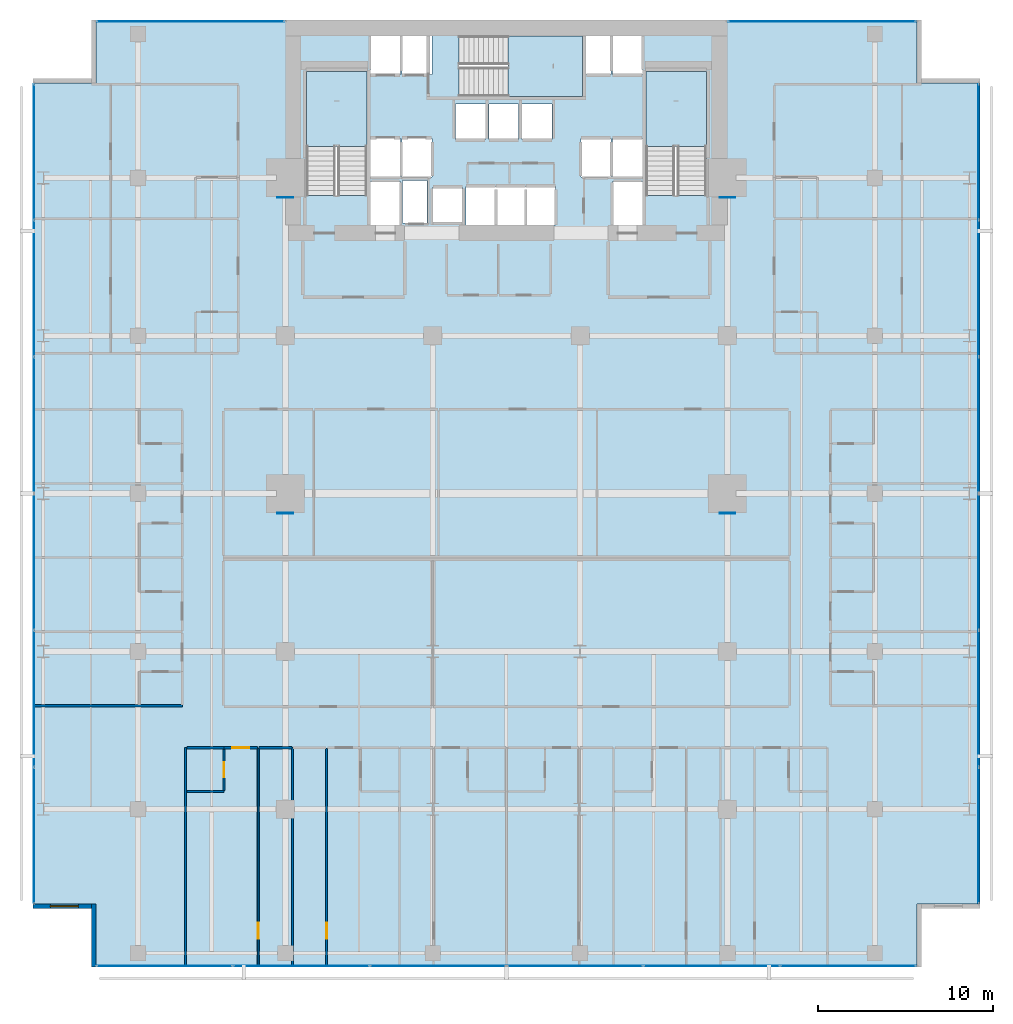
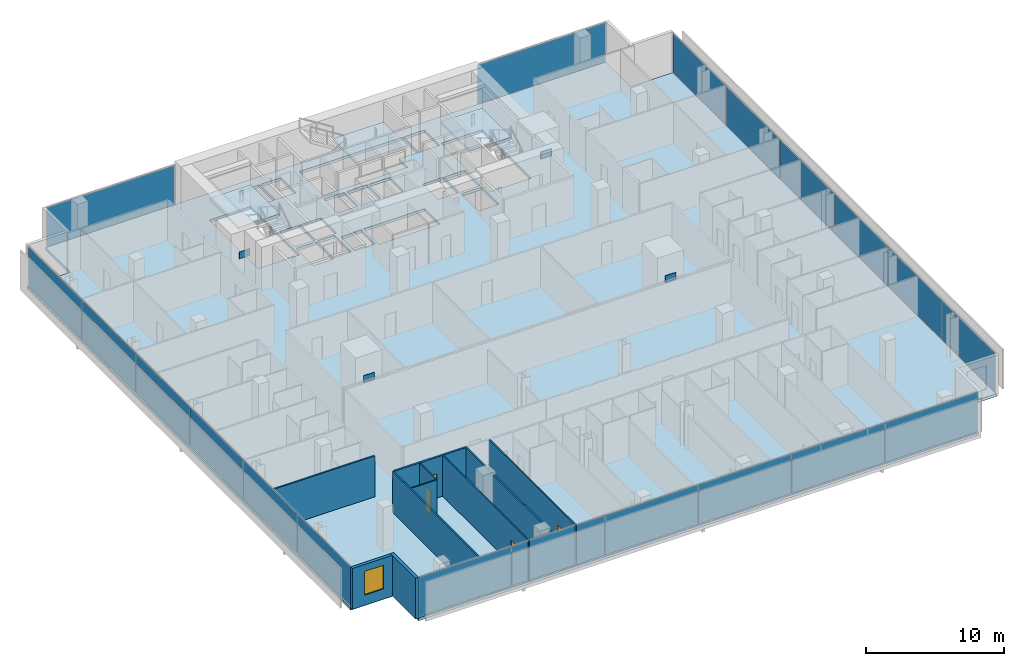
# One storey, part 32 of 40: 24 plates, 12 walls, 4 doors, 4 slabs, 1 window, 5 openings, 8 elements without a shape of their own.
"""IFC4 building model written with IfcOpenShell, lengths in metres."""

from ifc_helpers import new_model, si_unit, direction, frame, frame_2d, origin, origin_2d, place, context, subcontext, project, spatial, polyline, rectangle, outline, extrude, material, layer, layer_set, type_object, element, fill, aggregate, save


model = new_model("IFC4")

# Units and contexts
model_context = context("Model", 3, precision=1e-05, world=origin(), true_north=direction((0.0, 1.0)))
body_context = subcontext(model_context, "Body", "Model", "MODEL_VIEW")
ifc_project = project(units=[si_unit("LENGTHUNIT", "METRE"), si_unit("AREAUNIT", "SQUARE_METRE"), si_unit("VOLUMEUNIT", "CUBIC_METRE"), si_unit("PLANEANGLEUNIT", "RADIAN"), si_unit("MASSUNIT", "GRAM", prefix="KILO")], contexts=[model_context])

# Site, building, storey
site_placement = place(None, origin())
site = spatial("IfcSite", under=ifc_project, at=site_placement, CompositionType="ELEMENT")
building_placement = place(site_placement, origin())
building = spatial("IfcBuilding", under=site, at=building_placement, Name="Maruvema Waterfront Hotel and Observation Tower", CompositionType="ELEMENT")
storey_placement = place(building_placement, frame((0.0, 0.0, 38.5)))
storey = spatial("IfcBuildingStorey", under=building, at=storey_placement, Name="L08", CompositionType="ELEMENT", Elevation=38.5)

# Slab
ifc_material_1 = material(Name="Concrete C50/60", Category="concrete")
ifc_layer_1 = layer(ifc_material_1, 0.239990234375, Name="Reinforced Concrete Floor Slab 240 mm")
ifc_layer_set_1 = layer_set([ifc_layer_1], Name="Concrete C50/60")
slab_type_1 = type_object("IfcSlabType", Name="Reinforced Concrete Floor Slab 240 mm", PredefinedType="FLOOR", material=ifc_layer_set_1)
slab_1_placement = place(storey_placement, frame((0.0, 0.0, -0.239990234375)))
element("IfcSlab", 1, at=slab_1_placement, inside=storey, type_object=slab_type_1, Name="L08 Structural Floor Slab", PredefinedType="FLOOR", context=body_context, shape_type="SweptSolid", body=[
    extrude(outline(polyline([(14.39990234375, 0.0), (61.199951171875, 0.0), (61.199951171875, 3.60009765625), (64.800048828125, 3.60009765625), (64.800048828125, 50.39990234375), (61.199951171875, 50.39990234375), (61.199951171875, 54.0), (14.39990234375, 54.0), (14.39990234375, 50.39990234375), (10.800048828125, 50.39990234375), (10.800048828125, 3.60009765625), (14.39990234375, 3.60009765625), (14.39990234375, 0.0)]), holes=[polyline([(26.39990234375, 44.00048828125), (26.39990234375, 51.050048828125), (29.85009765625, 51.050048828125), (29.85009765625, 44.00048828125), (26.39990234375, 44.00048828125)]), polyline([(30.050048828125, 44.800048828125), (31.75, 44.800048828125), (31.75, 42.320068359375), (30.050048828125, 42.320068359375), (30.050048828125, 44.800048828125)]), polyline([(31.75, 47.25), (31.75, 45.050048828125), (30.050048828125, 45.050048828125), (30.050048828125, 47.25), (31.75, 47.25)]), polyline([(31.75, 53.10009765625), (31.75, 50.89990234375), (30.050048828125, 50.89990234375), (30.050048828125, 53.10009765625), (31.75, 53.10009765625)]), polyline([(33.280029296875, 44.860107421875), (33.280029296875, 42.43994140625), (31.8798828125, 42.43994140625), (31.8798828125, 44.860107421875), (33.280029296875, 44.860107421875)]), polyline([(31.85009765625, 47.25), (33.550048828125, 47.25), (33.550048828125, 45.050048828125), (31.85009765625, 45.050048828125), (31.85009765625, 47.25)]), polyline([(31.85009765625, 53.10009765625), (33.550048828125, 53.10009765625), (33.550048828125, 50.89990234375), (31.85009765625, 50.89990234375), (31.85009765625, 53.10009765625)]), polyline([(33.60009765625, 44.449951171875), (35.300048828125, 44.449951171875), (35.300048828125, 42.449951171875), (33.60009765625, 42.449951171875), (33.60009765625, 44.449951171875)]), polyline([(34.89990234375, 49.199951171875), (36.60009765625, 49.199951171875), (36.60009765625, 47.199951171875), (34.89990234375, 47.199951171875), (34.89990234375, 49.199951171875)]), polyline([(38.5, 49.199951171875), (38.5, 47.199951171875), (36.800048828125, 47.199951171875), (36.800048828125, 49.199951171875), (38.5, 49.199951171875)]), polyline([(35.5, 44.5), (40.60009765625, 44.5), (40.60009765625, 42.300048828125), (35.5, 42.300048828125), (35.5, 44.5)]), polyline([(43.75, 50.89990234375), (42.14990234375, 50.89990234375), (42.14990234375, 49.64990234375), (35.1005859375, 49.64990234375), (35.1005859375, 53.10009765625), (43.75, 53.10009765625), (43.75, 50.89990234375)]), polyline([(40.39990234375, 49.199951171875), (40.39990234375, 47.199951171875), (38.699951171875, 47.199951171875), (38.699951171875, 49.199951171875), (40.39990234375, 49.199951171875)]), polyline([(43.75, 47.25), (43.75, 45.050048828125), (42.050048828125, 45.050048828125), (42.050048828125, 47.25), (43.75, 47.25)]), polyline([(45.550048828125, 44.800048828125), (45.550048828125, 42.320068359375), (43.85009765625, 42.320068359375), (43.85009765625, 44.800048828125), (45.550048828125, 44.800048828125)]), polyline([(43.85009765625, 47.25), (45.550048828125, 47.25), (45.550048828125, 45.050048828125), (43.85009765625, 45.050048828125), (43.85009765625, 47.25)]), polyline([(45.550048828125, 53.10009765625), (45.550048828125, 50.89990234375), (43.85009765625, 50.89990234375), (43.85009765625, 53.10009765625), (45.550048828125, 53.10009765625)]), polyline([(45.75, 51.050048828125), (49.199951171875, 51.050048828125), (49.199951171875, 44.00048828125), (45.75, 44.00048828125), (45.75, 51.050048828125)])]), origin(), (0.0, 0.0, 1.0), 0.239990234375),
])

# Curtain wall, plates
ifc_material_2 = material(Name="Anodised bronze aluminium and solar-control low-E IGU", Category="aluminium")
ifc_layer_2 = layer(ifc_material_2, 0.159912109375, Name="Zone 1 Bronze Inner Thermal Curtain Wall System CW-02")
ifc_layer_set_2 = layer_set([ifc_layer_2], Name="Anodised bronze aluminium and solar-control low-E IGU")
curtain_wall_type = type_object("IfcCurtainWallType", Name="Zone 1 Bronze Inner Thermal Curtain Wall System CW-02", PredefinedType="USERDEFINED", material=ifc_layer_set_2)
curtain_wall_1_placement = place(storey_placement, origin())
curtain_wall_1 = element("IfcCurtainWall", 2, at=curtain_wall_1_placement, inside=storey, type_object=curtain_wall_type, Name="L08 Curtain Wall CW-L08-S", ObjectType="UNITISED CURTAIN WALL", PredefinedType="USERDEFINED")
ifc_material_3 = material(Name="Laminated low-E solar-control double glazing", Category="glass")
ifc_layer_3 = layer(ifc_material_3, 0.035888671875, Name="Solar Control Double-Glazed Curtain Panel 36 mm")
ifc_layer_set_3 = layer_set([ifc_layer_3], Name="Laminated low-E solar-control double glazing")
plate_type_1 = type_object("IfcPlateType", Name="Solar Control Double-Glazed Curtain Panel 36 mm", PredefinedType="CURTAIN_PANEL", material=ifc_layer_set_3)
plate_1_placement = place(storey_placement, frame((18.31494140625, 0.080078125, 0.06005859375), z_axis=(0.0, 0.0, 1.0), x_axis=(1.0, 0.0, 0.0)))
plate_1 = element("IfcPlate", 3, at=plate_1_placement, type_object=plate_type_1, Name="CW-02 panel 1.1", PredefinedType="CURTAIN_PANEL", context=body_context, shape_type="SweptSolid", body=[
    extrude(rectangle(XDim=7.7099609375, YDim=0.028076171875, at=origin_2d()), origin(), (0.0, 0.0, 1.0), 3.489990234375),
])
plate_2_placement = place(storey_placement, frame((26.10009765625, 0.080078125, 0.06005859375), z_axis=(0.0, 0.0, 1.0), x_axis=(1.0, 0.0, 0.0)))
plate_2 = element("IfcPlate", 4, at=plate_2_placement, type_object=plate_type_1, Name="CW-02 panel 2.1", PredefinedType="CURTAIN_PANEL", context=body_context, shape_type="SweptSolid", body=[
    extrude(rectangle(XDim=7.739990234375, YDim=0.028076171875, at=origin_2d()), origin(), (0.0, 0.0, 1.0), 3.489990234375),
])
plate_3_placement = place(storey_placement, frame((33.89990234375, 0.080078125, 0.06005859375), z_axis=(0.0, 0.0, 1.0), x_axis=(1.0, 0.0, 0.0)))
plate_3 = element("IfcPlate", 5, at=plate_3_placement, type_object=plate_type_1, Name="CW-02 panel 3.1", PredefinedType="CURTAIN_PANEL", context=body_context, shape_type="SweptSolid", body=[
    extrude(rectangle(XDim=7.739990234375, YDim=0.028076171875, at=origin_2d()), origin(), (0.0, 0.0, 1.0), 3.489990234375),
])
plate_4_placement = place(storey_placement, frame((41.699951171875, 0.080078125, 0.06005859375), z_axis=(0.0, 0.0, 1.0), x_axis=(1.0, 0.0, 0.0)))
plate_4 = element("IfcPlate", 6, at=plate_4_placement, type_object=plate_type_1, Name="CW-02 panel 4.1", PredefinedType="CURTAIN_PANEL", context=body_context, shape_type="SweptSolid", body=[
    extrude(rectangle(XDim=7.739990234375, YDim=0.028076171875, at=origin_2d()), origin(), (0.0, 0.0, 1.0), 3.489990234375),
])
plate_5_placement = place(storey_placement, frame((49.5, 0.080078125, 0.06005859375), z_axis=(0.0, 0.0, 1.0), x_axis=(1.0, 0.0, 0.0)))
plate_5 = element("IfcPlate", 7, at=plate_5_placement, type_object=plate_type_1, Name="CW-02 panel 5.1", PredefinedType="CURTAIN_PANEL", context=body_context, shape_type="SweptSolid", body=[
    extrude(rectangle(XDim=7.739990234375, YDim=0.028076171875, at=origin_2d()), origin(), (0.0, 0.0, 1.0), 3.489990234375),
])
plate_6_placement = place(storey_placement, frame((57.284912109375, 0.080078125, 0.06005859375), z_axis=(0.0, 0.0, 1.0), x_axis=(1.0, 0.0, 0.0)))
plate_6 = element("IfcPlate", 8, at=plate_6_placement, type_object=plate_type_1, Name="CW-02 panel 6.1", PredefinedType="CURTAIN_PANEL", context=body_context, shape_type="SweptSolid", body=[
    extrude(rectangle(XDim=7.7099609375, YDim=0.028076171875, at=origin_2d()), origin(), (0.0, 0.0, 1.0), 3.489990234375),
])
aggregate(curtain_wall_1, [plate_1, plate_2, plate_3, plate_4, plate_5, plate_6])

curtain_wall_2_placement = place(storey_placement, origin())
curtain_wall_2 = element("IfcCurtainWall", 9, at=curtain_wall_2_placement, inside=storey, type_object=curtain_wall_type, Name="L08 Curtain Wall CW-L08-E", ObjectType="UNITISED CURTAIN WALL", PredefinedType="USERDEFINED")
plate_7_placement = place(storey_placement, frame((64.719970703125, 7.514892578125, 0.06005859375), z_axis=(0.0, 0.0, 1.0), x_axis=(0.0, 1.0, 0.0)))
plate_7 = element("IfcPlate", 10, at=plate_7_placement, type_object=plate_type_1, Name="CW-02 panel 1.1", PredefinedType="CURTAIN_PANEL", context=body_context, shape_type="SweptSolid", body=[
    extrude(rectangle(XDim=7.7099609375, YDim=0.028076171875, at=origin_2d()), origin(), (0.0, 0.0, 1.0), 3.489990234375),
])
plate_8_placement = place(storey_placement, frame((64.719970703125, 15.300048828125, 0.06005859375), z_axis=(0.0, 0.0, 1.0), x_axis=(0.0, 1.0, 0.0)))
plate_8 = element("IfcPlate", 11, at=plate_8_placement, type_object=plate_type_1, Name="CW-02 panel 2.1", PredefinedType="CURTAIN_PANEL", context=body_context, shape_type="SweptSolid", body=[
    extrude(rectangle(XDim=7.739990234375, YDim=0.028076171875, at=origin_2d()), origin(), (0.0, 0.0, 1.0), 3.489990234375),
])
plate_9_placement = place(storey_placement, frame((64.719970703125, 23.10009765625, 0.06005859375), z_axis=(0.0, 0.0, 1.0), x_axis=(0.0, 1.0, 0.0)))
plate_9 = element("IfcPlate", 12, at=plate_9_placement, type_object=plate_type_1, Name="CW-02 panel 3.1", PredefinedType="CURTAIN_PANEL", context=body_context, shape_type="SweptSolid", body=[
    extrude(rectangle(XDim=7.739990234375, YDim=0.028076171875, at=origin_2d()), origin(), (0.0, 0.0, 1.0), 3.489990234375),
])
plate_10_placement = place(storey_placement, frame((64.719970703125, 30.89990234375, 0.06005859375), z_axis=(0.0, 0.0, 1.0), x_axis=(0.0, 1.0, 0.0)))
plate_10 = element("IfcPlate", 13, at=plate_10_placement, type_object=plate_type_1, Name="CW-02 panel 4.1", PredefinedType="CURTAIN_PANEL", context=body_context, shape_type="SweptSolid", body=[
    extrude(rectangle(XDim=7.739990234375, YDim=0.028076171875, at=origin_2d()), origin(), (0.0, 0.0, 1.0), 3.489990234375),
])
plate_11_placement = place(storey_placement, frame((64.719970703125, 38.699951171875, 0.06005859375), z_axis=(0.0, 0.0, 1.0), x_axis=(0.0, 1.0, 0.0)))
plate_11 = element("IfcPlate", 14, at=plate_11_placement, type_object=plate_type_1, Name="CW-02 panel 5.1", PredefinedType="CURTAIN_PANEL", context=body_context, shape_type="SweptSolid", body=[
    extrude(rectangle(XDim=7.739990234375, YDim=0.028076171875, at=origin_2d()), origin(), (0.0, 0.0, 1.0), 3.489990234375),
])
plate_12_placement = place(storey_placement, frame((64.719970703125, 46.485107421875, 0.06005859375), z_axis=(0.0, 0.0, 1.0), x_axis=(0.0, 1.0, 0.0)))
plate_12 = element("IfcPlate", 15, at=plate_12_placement, type_object=plate_type_1, Name="CW-02 panel 6.1", PredefinedType="CURTAIN_PANEL", context=body_context, shape_type="SweptSolid", body=[
    extrude(rectangle(XDim=7.7099609375, YDim=0.028076171875, at=origin_2d()), origin(), (0.0, 0.0, 1.0), 3.489990234375),
])
aggregate(curtain_wall_2, [plate_7, plate_8, plate_9, plate_10, plate_11, plate_12])

curtain_wall_3_placement = place(storey_placement, origin())
curtain_wall_3 = element("IfcCurtainWall", 16, at=curtain_wall_3_placement, inside=storey, type_object=curtain_wall_type, Name="L08 Curtain Wall CW-L08-W", ObjectType="UNITISED CURTAIN WALL", PredefinedType="USERDEFINED")
plate_13_placement = place(storey_placement, frame((10.8798828125, 46.485107421875, 0.06005859375), z_axis=(0.0, 0.0, 1.0), x_axis=(0.0, -1.0, 0.0)))
plate_13 = element("IfcPlate", 17, at=plate_13_placement, type_object=plate_type_1, Name="CW-02 panel 1.1", PredefinedType="CURTAIN_PANEL", context=body_context, shape_type="SweptSolid", body=[
    extrude(rectangle(XDim=7.7099609375, YDim=0.028076171875, at=origin_2d()), origin(), (0.0, 0.0, 1.0), 3.489990234375),
])
plate_14_placement = place(storey_placement, frame((10.8798828125, 38.699951171875, 0.06005859375), z_axis=(0.0, 0.0, 1.0), x_axis=(0.0, -1.0, 0.0)))
plate_14 = element("IfcPlate", 18, at=plate_14_placement, type_object=plate_type_1, Name="CW-02 panel 2.1", PredefinedType="CURTAIN_PANEL", context=body_context, shape_type="SweptSolid", body=[
    extrude(rectangle(XDim=7.739990234375, YDim=0.028076171875, at=origin_2d()), origin(), (0.0, 0.0, 1.0), 3.489990234375),
])
plate_15_placement = place(storey_placement, frame((10.8798828125, 30.89990234375, 0.06005859375), z_axis=(0.0, 0.0, 1.0), x_axis=(0.0, -1.0, 0.0)))
plate_15 = element("IfcPlate", 19, at=plate_15_placement, type_object=plate_type_1, Name="CW-02 panel 3.1", PredefinedType="CURTAIN_PANEL", context=body_context, shape_type="SweptSolid", body=[
    extrude(rectangle(XDim=7.739990234375, YDim=0.028076171875, at=origin_2d()), origin(), (0.0, 0.0, 1.0), 3.489990234375),
])
plate_16_placement = place(storey_placement, frame((10.8798828125, 23.10009765625, 0.06005859375), z_axis=(0.0, 0.0, 1.0), x_axis=(0.0, -1.0, 0.0)))
plate_16 = element("IfcPlate", 20, at=plate_16_placement, type_object=plate_type_1, Name="CW-02 panel 4.1", PredefinedType="CURTAIN_PANEL", context=body_context, shape_type="SweptSolid", body=[
    extrude(rectangle(XDim=7.739990234375, YDim=0.028076171875, at=origin_2d()), origin(), (0.0, 0.0, 1.0), 3.489990234375),
])
plate_17_placement = place(storey_placement, frame((10.8798828125, 15.300048828125, 0.06005859375), z_axis=(0.0, 0.0, 1.0), x_axis=(0.0, -1.0, 0.0)))
plate_17 = element("IfcPlate", 21, at=plate_17_placement, type_object=plate_type_1, Name="CW-02 panel 5.1", PredefinedType="CURTAIN_PANEL", context=body_context, shape_type="SweptSolid", body=[
    extrude(rectangle(XDim=7.739990234375, YDim=0.028076171875, at=origin_2d()), origin(), (0.0, 0.0, 1.0), 3.489990234375),
])
plate_18_placement = place(storey_placement, frame((10.8798828125, 7.514892578125, 0.06005859375), z_axis=(0.0, 0.0, 1.0), x_axis=(0.0, -1.0, 0.0)))
plate_18 = element("IfcPlate", 22, at=plate_18_placement, type_object=plate_type_1, Name="CW-02 panel 6.1", PredefinedType="CURTAIN_PANEL", context=body_context, shape_type="SweptSolid", body=[
    extrude(rectangle(XDim=7.7099609375, YDim=0.028076171875, at=origin_2d()), origin(), (0.0, 0.0, 1.0), 3.489990234375),
])
aggregate(curtain_wall_3, [plate_13, plate_14, plate_15, plate_16, plate_17, plate_18])

# Curtain wall, plate
curtain_wall_4_placement = place(storey_placement, origin())
curtain_wall_4 = element("IfcCurtainWall", 23, at=curtain_wall_4_placement, inside=storey, type_object=curtain_wall_type, Name="L08 Curtain Wall CW-L08-NW", ObjectType="UNITISED CURTAIN WALL", PredefinedType="USERDEFINED")
plate_19_placement = place(storey_placement, frame((19.800048828125, 53.919921875, 0.06005859375), z_axis=(0.0, 0.0, 1.0), x_axis=(-1.0, 0.0, 0.0)))
plate_19 = element("IfcPlate", 24, at=plate_19_placement, type_object=plate_type_1, Name="CW-02 panel 1.1", PredefinedType="CURTAIN_PANEL", context=body_context, shape_type="SweptSolid", body=[
    extrude(rectangle(XDim=10.679931640625, YDim=0.028076171875, at=origin_2d()), origin(), (0.0, 0.0, 1.0), 3.489990234375),
])
aggregate(curtain_wall_4, [plate_19])

curtain_wall_5_placement = place(storey_placement, origin())
curtain_wall_5 = element("IfcCurtainWall", 25, at=curtain_wall_5_placement, inside=storey, type_object=curtain_wall_type, Name="L08 Curtain Wall CW-L08-NE", ObjectType="UNITISED CURTAIN WALL", PredefinedType="USERDEFINED")
plate_20_placement = place(storey_placement, frame((55.800048828125, 53.919921875, 0.06005859375), z_axis=(0.0, 0.0, 1.0), x_axis=(-1.0, 0.0, 0.0)))
plate_20 = element("IfcPlate", 26, at=plate_20_placement, type_object=plate_type_1, Name="CW-02 panel 1.1", PredefinedType="CURTAIN_PANEL", context=body_context, shape_type="SweptSolid", body=[
    extrude(rectangle(XDim=10.679931640625, YDim=0.028076171875, at=origin_2d()), origin(), (0.0, 0.0, 1.0), 3.489990234375),
])
aggregate(curtain_wall_5, [plate_20])

# Stair, slab
ifc_material_4 = material(Name="Concrete C50/60", Category="concrete")
stair_type = type_object("IfcStairType", Name="Dogleg Exit Stair 1650 mm (22R x 175.0 mm)", PredefinedType="HALF_TURN_STAIR", material=ifc_material_4)
stair_1_placement = place(storey_placement, origin())
stair_1 = element("IfcStair", 27, at=stair_1_placement, inside=storey, type_object=stair_type, Name="L08 ST-01", PredefinedType="HALF_TURN_STAIR")
ifc_material_5 = material(Name="Concrete C50/60", Category="concrete")
ifc_layer_4 = layer(ifc_material_5, 0.219970703125, Name="Stair Concrete Landing Slab 220 mm")
ifc_layer_set_4 = layer_set([ifc_layer_4], Name="Concrete C50/60")
slab_type_2 = type_object("IfcSlabType", Name="Stair Concrete Landing Slab 220 mm", PredefinedType="LANDING", material=ifc_layer_set_4)
slab_2_placement = place(storey_placement, frame((0.0, 0.0, 1.705078125)))
slab_2 = element("IfcSlab", 28, at=slab_2_placement, type_object=slab_type_2, Name="ST-01 landing 1", PredefinedType="LANDING", context=body_context, shape_type="SweptSolid", body=[
    extrude(outline(polyline([(29.85009765625, 46.800048828125), (29.85009765625, 51.050048828125), (26.39990234375, 51.050048828125), (26.39990234375, 46.800048828125), (29.85009765625, 46.800048828125)])), origin(), (0.0, 0.0, 1.0), 0.219970703125),
])
aggregate(stair_1, [slab_2])

stair_2_placement = place(storey_placement, origin())
stair_2 = element("IfcStair", 29, at=stair_2_placement, inside=storey, type_object=stair_type, Name="L08 ST-02", PredefinedType="HALF_TURN_STAIR")
slab_3_placement = place(storey_placement, frame((0.0, 0.0, 1.705078125)))
slab_3 = element("IfcSlab", 30, at=slab_3_placement, type_object=slab_type_2, Name="ST-02 landing 1", PredefinedType="LANDING", context=body_context, shape_type="SweptSolid", body=[
    extrude(outline(polyline([(37.89990234375, 49.64990234375), (42.14990234375, 49.64990234375), (42.14990234375, 53.10009765625), (37.89990234375, 53.10009765625), (37.89990234375, 49.64990234375)])), origin(), (0.0, 0.0, 1.0), 0.219970703125),
])
aggregate(stair_2, [slab_3])

stair_3_placement = place(storey_placement, origin())
stair_3 = element("IfcStair", 31, at=stair_3_placement, inside=storey, type_object=stair_type, Name="L08 ST-03", PredefinedType="HALF_TURN_STAIR")
slab_4_placement = place(storey_placement, frame((0.0, 0.0, 1.705078125)))
slab_4 = element("IfcSlab", 32, at=slab_4_placement, type_object=slab_type_2, Name="ST-03 landing 1", PredefinedType="LANDING", context=body_context, shape_type="SweptSolid", body=[
    extrude(outline(polyline([(49.199951171875, 46.800048828125), (49.199951171875, 51.050048828125), (45.75, 51.050048828125), (45.75, 46.800048828125), (49.199951171875, 46.800048828125)])), origin(), (0.0, 0.0, 1.0), 0.219970703125),
])
aggregate(stair_3, [slab_4])

# Plates
ifc_material_6 = material(Name="Steel ABNT NBR 7007 AR 415 (ASTM A572 Grade 50)", Category="steel")
ifc_layer_5 = layer(ifc_material_6, 0.0400390625, Name="Structural Truss Node Gusset Plate 40 mm")
ifc_layer_set_5 = layer_set([ifc_layer_5], Name="Steel ABNT NBR 7007 AR 415 (ASTM A572 Grade 50)")
plate_type_2 = type_object("IfcPlateType", Name="Structural Truss Node Gusset Plate 40 mm", PredefinedType="USERDEFINED", material=ifc_layer_set_5)
for number, where, z_axis, x_axis, name in (
    (33, (25.199951171875, 25.8798828125, 1.5), (0.0, 0.0, 1.0), (1.0, 0.0, 0.0), "L08 MC-01 Moment Frame Continuity Gusset Plate"),
    (34, (50.39990234375, 25.8798828125, 1.5), (0.0, 0.0, 1.0), (1.0, 0.0, 0.0), "L08 MC-02 Moment Frame Continuity Gusset Plate"),
    (35, (25.199951171875, 43.8798828125, 1.5), (0.0, 0.0, 1.0), (1.0, 0.0, 0.0), "L08 MC-03 Moment Frame Continuity Gusset Plate"),
    (36, (50.39990234375, 43.8798828125, 1.5), (0.0, 0.0, 1.0), (1.0, 0.0, 0.0), "L08 MC-04 Moment Frame Continuity Gusset Plate"),
):
    element("IfcPlate", number, at=place(storey_placement, frame(where, z_axis=z_axis, x_axis=x_axis)), inside=storey, type_object=plate_type_2, Name=name, ObjectType="GUSSET_PLATE", PredefinedType="USERDEFINED", context=body_context, shape_type="SweptSolid", body=[
        extrude(rectangle(XDim=0.89990234375, YDim=0.0400390625, at=origin_2d()), origin(), (0.0, 0.0, 1.0), 0.60009765625),
    ])

# Wall
ifc_material_7 = material(Name="Twin-stud acoustic gypsum drywall", Category="gypsum")
ifc_layer_6 = layer(ifc_material_7, 0.14990234375, Name="Acoustic Corridor and Suite Demising Wall 150 mm")
ifc_layer_set_6 = layer_set([ifc_layer_6], Name="Twin-stud acoustic gypsum drywall")
wall_type_1 = type_object("IfcWallType", Name="Acoustic Corridor and Suite Demising Wall 150 mm", PredefinedType="PARTITIONING", material=ifc_layer_set_6)
wall_1_placement = place(storey_placement, frame((19.580078125, 12.52001953125, 0.0), z_axis=(0.0, 0.0, 1.0), x_axis=(1.0, 0.0, 0.0)))
element("IfcWall", 37, at=wall_1_placement, inside=storey, type_object=wall_type_1, Name="L08 Bath L08-S1 Back Wall 040", PredefinedType="PARTITIONING", context=body_context, shape_type="SweptSolid", body=[
    extrude(rectangle(XDim=2.119873046875, YDim=0.14990234375, at=frame_2d((1.06005859375, 0.0))), origin(), (0.0, 0.0, 1.0), 3.610107421875),
])

# Wall, opening, door
wall_2_placement = place(storey_placement, frame((21.699951171875, 12.52001953125, 0.0), z_axis=(0.0, 0.0, 1.0), x_axis=(1.0, 0.0, 0.0)))
wall_2 = element("IfcWall", 38, at=wall_2_placement, inside=storey, type_object=wall_type_1, Name="L08 Unit L08-S1 Corridor Wall 043", PredefinedType="PARTITIONING", context=body_context, shape_type="SweptSolid", body=[
    extrude(rectangle(XDim=1.91015625, YDim=0.14990234375, at=frame_2d((0.955078125, 0.0))), origin(), (0.0, 0.0, 1.0), 3.610107421875),
])
opening_1_placement = place(wall_2_placement, frame((0.47998046875, 0.0, 0.0)))
opening_1 = element("IfcOpeningElement", 39, at=opening_1_placement, cuts=wall_2, Name="Opening DR-095", PredefinedType="OPENING", context=body_context, shape_type="SweptSolid", body=[
    extrude(rectangle(XDim=0.949951171875, YDim=2.14990234375, at=frame_2d((0.47509765625, 1.074951171875))), frame((0.0, 0.0849609375, 0.0), z_axis=(0.0, -1.0, 0.0), x_axis=(1.0, 0.0, 0.0)), (0.0, 0.0, 1.0), 0.169921875),
])
ifc_material_8 = material(Name="Acoustic solid-core hardwood timber leaf", Category="wood")
door_type_1 = type_object("IfcDoorType", Name="Guestroom Entrance Fire Door 950x2150 mm", OperationType="NOTDEFINED", PredefinedType="DOOR", material=ifc_material_8)
door_1_placement = place(opening_1_placement, frame((0.949951171875, 0.0, 0.0), z_axis=(0.0, 0.0, 1.0), x_axis=(-1.0, 0.0, 0.0)))
door_1 = element("IfcDoor", 40, at=door_1_placement, inside=storey, type_object=door_type_1, Name="L08 Unit L08-S1 Entrance Door", OperationType="SINGLE_SWING_RIGHT", OverallHeight=2.14990234375, OverallWidth=0.949951171875, PredefinedType="DOOR", context=body_context, shape_type="SweptSolid", body=[
    extrude(rectangle(XDim=0.949951171875, YDim=2.14990234375, at=frame_2d((0.47509765625, 1.074951171875))), frame((0.0, 0.02490234375, 0.0), z_axis=(0.0, -1.0, 0.0), x_axis=(1.0, 0.0, 0.0)), (0.0, 0.0, 1.0), 0.050048828125),
])
fill(opening_1, door_1)

# Walls
wall_3_placement = place(storey_placement, frame((23.68994140625, 12.52001953125, 0.0), z_axis=(0.0, 0.0, 1.0), x_axis=(1.0, 0.0, 0.0)))
element("IfcWall", 41, at=wall_3_placement, inside=storey, type_object=wall_type_1, Name="L08 Bedroom L08-S1 Back Wall 044", PredefinedType="PARTITIONING", context=body_context, shape_type="SweptSolid", body=[
    extrude(rectangle(XDim=1.89013671875, YDim=0.14990234375, at=frame_2d((0.945068359375, 0.0))), origin(), (0.0, 0.0, 1.0), 3.610107421875),
])
ifc_material_9 = material(Name="Moisture-resistant cement-board drywall", Category="gypsum")
ifc_layer_7 = layer(ifc_material_9, 0.10009765625, Name="En-Suite Moisture-Resistant Partition 100 mm")
ifc_layer_set_7 = layer_set([ifc_layer_7], Name="Moisture-resistant cement-board drywall")
wall_type_2 = type_object("IfcWallType", Name="En-Suite Moisture-Resistant Partition 100 mm", PredefinedType="PARTITIONING", material=ifc_layer_set_7)
wall_4_placement = place(storey_placement, frame((19.580078125, 10.02001953125, 0.0), z_axis=(0.0, 0.0, 1.0), x_axis=(1.0, 0.0, 0.0)))
element("IfcWall", 42, at=wall_4_placement, inside=storey, type_object=wall_type_2, Name="L08 En-Suite L08-S1 South 041", PredefinedType="PARTITIONING", context=body_context, shape_type="SweptSolid", body=[
    extrude(rectangle(XDim=2.119873046875, YDim=0.10009765625, at=frame_2d((1.06005859375, 0.0))), origin(), (0.0, 0.0, 1.0), 3.610107421875),
])

# Wall, opening, door
wall_5_placement = place(storey_placement, frame((21.699951171875, 10.080078125, 0.0), z_axis=(0.0, 0.0, 1.0), x_axis=(0.0, 1.0, 0.0)))
wall_5 = element("IfcWall", 43, at=wall_5_placement, inside=storey, type_object=wall_type_2, Name="L08 En-Suite L08-S1 East 042", PredefinedType="PARTITIONING", context=body_context, shape_type="SweptSolid", body=[
    extrude(rectangle(XDim=2.33984375, YDim=0.10009765625, at=frame_2d((1.169921875, 0.0))), origin(), (0.0, 0.0, 1.0), 3.610107421875),
])
opening_2_placement = place(wall_5_placement, frame((0.7451171875, 0.0, 0.0)))
opening_2 = element("IfcOpeningElement", 44, at=opening_2_placement, cuts=wall_5, Name="Opening DR-085", PredefinedType="OPENING", context=body_context, shape_type="SweptSolid", body=[
    extrude(rectangle(XDim=0.85009765625, YDim=2.10009765625, at=frame_2d((0.425048828125, 1.050048828125))), frame((0.0, 0.06005859375, 0.0), z_axis=(0.0, -1.0, 0.0), x_axis=(1.0, 0.0, 0.0)), (0.0, 0.0, 1.0), 0.1201171875),
])
ifc_material_10 = material(Name="Moisture-resistant solid timber leaf", Category="wood")
door_type_2 = type_object("IfcDoorType", Name="En-Suite Bathroom Door 850x2100 mm", OperationType="NOTDEFINED", PredefinedType="DOOR", material=ifc_material_10)
door_2_placement = place(opening_2_placement, frame((0.85009765625, 0.0, 0.0), z_axis=(0.0, 0.0, 1.0), x_axis=(-1.0, 0.0, 0.0)))
door_2 = element("IfcDoor", 45, at=door_2_placement, inside=storey, type_object=door_type_2, Name="L08 En-Suite L08-S1 Door", OperationType="SINGLE_SWING_LEFT", OverallHeight=2.10009765625, OverallWidth=0.85009765625, PredefinedType="DOOR", context=body_context, shape_type="SweptSolid", body=[
    extrude(rectangle(XDim=0.85009765625, YDim=2.10009765625, at=frame_2d((0.425048828125, 1.050048828125))), frame((0.0, 0.02490234375, 0.0), z_axis=(0.0, -1.0, 0.0), x_axis=(1.0, 0.0, 0.0)), (0.0, 0.0, 1.0), 0.050048828125),
])
fill(opening_2, door_2)

wall_6_placement = place(storey_placement, frame((23.64990234375, 0.030029296875, 0.0), z_axis=(0.0, 0.0, 1.0), x_axis=(0.0, 1.0, 0.0)))
wall_6 = element("IfcWall", 46, at=wall_6_placement, inside=storey, type_object=wall_type_2, Name="L08 Suite L08-S1 Split 045", PredefinedType="PARTITIONING", context=body_context, shape_type="SweptSolid", body=[
    extrude(rectangle(XDim=12.429931640625, YDim=0.10009765625, at=frame_2d((6.21484375, 0.0))), origin(), (0.0, 0.0, 1.0), 3.610107421875),
])
opening_3_placement = place(wall_6_placement, frame((1.60009765625, 0.0, 0.0)))
opening_3 = element("IfcOpeningElement", 47, at=opening_3_placement, cuts=wall_6, Name="Opening DR-090", PredefinedType="OPENING", context=body_context, shape_type="SweptSolid", body=[
    extrude(rectangle(XDim=0.89990234375, YDim=2.10009765625, at=frame_2d((0.449951171875, 1.050048828125))), frame((0.0, 0.06005859375, 0.0), z_axis=(0.0, -1.0, 0.0), x_axis=(1.0, 0.0, 0.0)), (0.0, 0.0, 1.0), 0.1201171875),
])
ifc_material_11 = material(Name="Solid-core lacquered timber leaf", Category="wood")
door_type_3 = type_object("IfcDoorType", Name="Accessible Toilet and Room Door 900x2100 mm", OperationType="NOTDEFINED", PredefinedType="DOOR", material=ifc_material_11)
door_3_placement = place(opening_3_placement, origin())
door_3 = element("IfcDoor", 48, at=door_3_placement, inside=storey, type_object=door_type_3, Name="L08 Suite L08-S1 Bedroom Door", OperationType="SINGLE_SWING_LEFT", OverallHeight=2.10009765625, OverallWidth=0.89990234375, PredefinedType="DOOR", context=body_context, shape_type="SweptSolid", body=[
    extrude(rectangle(XDim=0.89990234375, YDim=2.10009765625, at=frame_2d((0.449951171875, 1.050048828125))), frame((0.0, 0.02490234375, 0.0), z_axis=(0.0, -1.0, 0.0), x_axis=(1.0, 0.0, 0.0)), (0.0, 0.0, 1.0), 0.050048828125),
])
fill(opening_3, door_3)

wall_7_placement = place(storey_placement, frame((27.550048828125, 0.030029296875, 0.0), z_axis=(0.0, 0.0, 1.0), x_axis=(0.0, 1.0, 0.0)))
wall_7 = element("IfcWall", 49, at=wall_7_placement, inside=storey, type_object=wall_type_2, Name="L08 Suite L08-S2 Split 052", PredefinedType="PARTITIONING", context=body_context, shape_type="SweptSolid", body=[
    extrude(rectangle(XDim=12.429931640625, YDim=0.10009765625, at=frame_2d((6.21484375, 0.0))), origin(), (0.0, 0.0, 1.0), 3.610107421875),
])
opening_4_placement = place(wall_7_placement, frame((1.60009765625, 0.0, 0.0)))
opening_4 = element("IfcOpeningElement", 50, at=opening_4_placement, cuts=wall_7, Name="Opening DR-090", PredefinedType="OPENING", context=body_context, shape_type="SweptSolid", body=[
    extrude(rectangle(XDim=0.89990234375, YDim=2.10009765625, at=frame_2d((0.449951171875, 1.050048828125))), frame((0.0, 0.06005859375, 0.0), z_axis=(0.0, -1.0, 0.0), x_axis=(1.0, 0.0, 0.0)), (0.0, 0.0, 1.0), 0.1201171875),
])
door_4_placement = place(opening_4_placement, frame((0.89990234375, 0.0, 0.0), z_axis=(0.0, 0.0, 1.0), x_axis=(-1.0, 0.0, 0.0)))
door_4 = element("IfcDoor", 51, at=door_4_placement, inside=storey, type_object=door_type_3, Name="L08 Suite L08-S2 Bedroom Door", OperationType="SINGLE_SWING_RIGHT", OverallHeight=2.10009765625, OverallWidth=0.89990234375, PredefinedType="DOOR", context=body_context, shape_type="SweptSolid", body=[
    extrude(rectangle(XDim=0.89990234375, YDim=2.10009765625, at=frame_2d((0.449951171875, 1.050048828125))), frame((0.0, 0.02490234375, 0.0), z_axis=(0.0, -1.0, 0.0), x_axis=(1.0, 0.0, 0.0)), (0.0, 0.0, 1.0), 0.050048828125),
])
fill(opening_4, door_4)

# Wall
ifc_material_12 = material(Name="Precast concrete C45/55 with honed Pernambuco granite facing", Category="masonry")
ifc_layer_8 = layer(ifc_material_12, 0.260009765625, Name="Exterior Granite Clad Spandrel and Pier Wall 260 mm")
ifc_layer_set_8 = layer_set([ifc_layer_8], Name="Precast concrete C45/55 with honed Pernambuco granite facing")
wall_type_3 = type_object("IfcWallType", Name="Exterior Granite Clad Spandrel and Pier Wall 260 mm", PredefinedType="SOLIDWALL", material=ifc_layer_set_8)
wall_8_placement = place(storey_placement, frame((14.27001953125, 0.0, 0.0), z_axis=(0.0, 0.0, 1.0), x_axis=(0.0, 1.0, 0.0)))
element("IfcWall", 52, at=wall_8_placement, inside=storey, type_object=wall_type_3, Name="L08 Corner Notch Granite Pier Wall SW1", PredefinedType="SOLIDWALL", context=body_context, shape_type="SweptSolid", body=[
    extrude(rectangle(XDim=3.60009765625, YDim=0.260009765625, at=frame_2d((1.800048828125, 0.0))), origin(), (0.0, 0.0, 1.0), 3.610107421875),
])

# Wall, opening, window
wall_9_placement = place(storey_placement, frame((14.39990234375, 3.469970703125, 0.0), z_axis=(0.0, 0.0, 1.0), x_axis=(-1.0, 0.0, 0.0)))
wall_9 = element("IfcWall", 53, at=wall_9_placement, inside=storey, type_object=wall_type_3, Name="L08 Corner Notch Granite Pier Wall SW2", PredefinedType="SOLIDWALL", context=body_context, shape_type="SweptSolid", body=[
    extrude(rectangle(XDim=3.599853515625, YDim=0.260009765625, at=frame_2d((1.7998046875, 0.0))), origin(), (0.0, 0.0, 1.0), 3.610107421875),
])
opening_5_placement = place(wall_9_placement, frame((1.0, 0.0, 0.89990234375)))
opening_5 = element("IfcOpeningElement", 54, at=opening_5_placement, cuts=wall_9, Name="Opening WN-01", PredefinedType="OPENING", context=body_context, shape_type="SweptSolid", body=[
    extrude(rectangle(XDim=1.60009765625, YDim=2.10009765625, at=frame_2d((0.800048828125, 1.050048828125))), frame((0.0, 0.14013671875, 0.0), z_axis=(0.0, -1.0, 0.0), x_axis=(1.0, 0.0, 0.0)), (0.0, 0.0, 1.0), 0.280029296875),
])
ifc_material_13 = material(Name="Anodised bronze aluminium frame with laminated low-E glass", Category="aluminium")
window_type = type_object("IfcWindowType", Name="Corner Notch Feature Window 1600x2100 mm", PartitioningType="SINGLE_PANEL", PredefinedType="WINDOW", material=ifc_material_13)
window_placement = place(opening_5_placement, origin())
window = element("IfcWindow", 55, at=window_placement, inside=storey, type_object=window_type, Name="L08 Corner Notch Punched Window SW2", OverallHeight=2.10009765625, OverallWidth=1.60009765625, PartitioningType="SINGLE_PANEL", PredefinedType="WINDOW", context=body_context, shape_type="SweptSolid", body=[
    extrude(rectangle(XDim=1.60009765625, YDim=2.10009765625, at=frame_2d((0.800048828125, 1.050048828125))), frame((0.0, 0.030029296875, 0.0), z_axis=(0.0, -1.0, 0.0), x_axis=(1.0, 0.0, 0.0)), (0.0, 0.0, 1.0), 0.06005859375),
])
fill(opening_5, window)

# Walls
ifc_material_14 = material(Name="Acoustic gypsum plasterboard drywall", Category="gypsum")
ifc_layer_9 = layer(ifc_material_14, 0.125, Name="Guestroom Acoustic Demising Wall 125 mm")
ifc_layer_set_9 = layer_set([ifc_layer_9], Name="Acoustic gypsum plasterboard drywall")
wall_type_4 = type_object("IfcWallType", Name="Guestroom Acoustic Demising Wall 125 mm", PredefinedType="PARTITIONING", material=ifc_layer_set_9)
for number, where, z_axis, x_axis, name in (
    (56, (19.5, 0.10009765625, 0.0), (0.0, 0.0, 1.0), (0.0, 1.0, 0.0), "L08 S West End 038"),
    (57, (25.60009765625, 0.10009765625, 0.0), (0.0, 0.0, 1.0), (0.0, 1.0, 0.0), "L08 S Demising 2 046"),
):
    element("IfcWall", number, at=place(storey_placement, frame(where, z_axis=z_axis, x_axis=x_axis)), inside=storey, type_object=wall_type_4, Name=name, PredefinedType="PARTITIONING", context=body_context, shape_type="SweptSolid", body=[
        extrude(rectangle(XDim=12.419921875, YDim=0.125, at=frame_2d((6.2099609375, 0.0))), origin(), (0.0, 0.0, 1.0), 3.610107421875),
    ])
wall_10_placement = place(storey_placement, frame((10.89990234375, 14.89990234375, 0.0), z_axis=(0.0, 0.0, 1.0), x_axis=(1.0, 0.0, 0.0)))
element("IfcWall", 58, at=wall_10_placement, inside=storey, type_object=wall_type_4, Name="L08 W Bot End 081", PredefinedType="PARTITIONING", context=body_context, shape_type="SweptSolid", body=[
    extrude(rectangle(XDim=8.420166015625, YDim=0.125, at=frame_2d((4.2099609375, 0.0))), origin(), (0.0, 0.0, 1.0), 3.610107421875),
])

save(model, "model.ifc")
